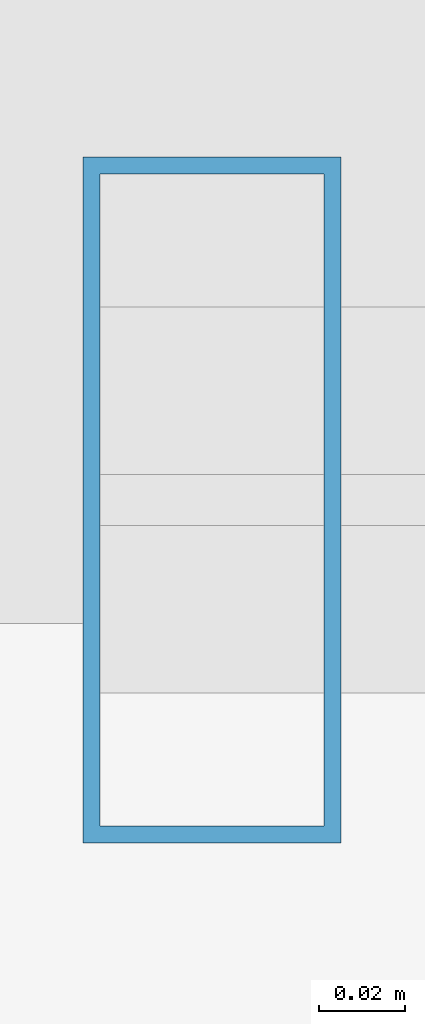
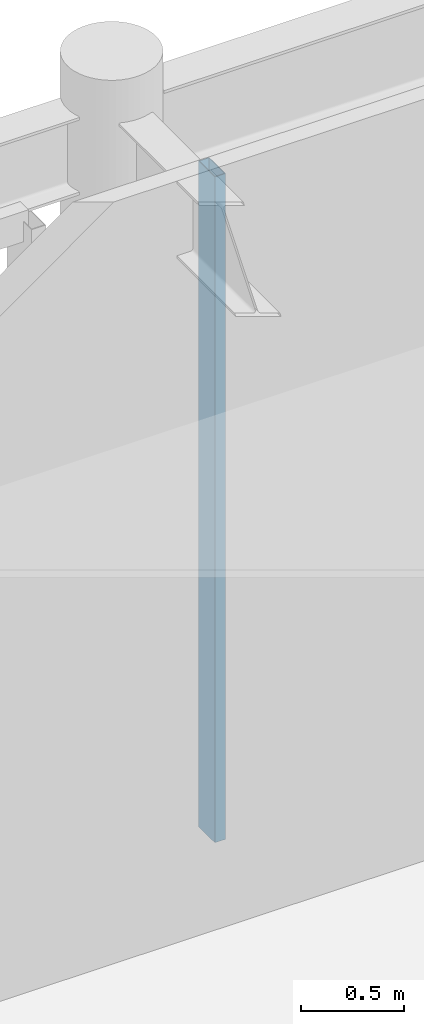
# One storey, part 129 of 200: 1 member, 1 element without a shape of its own.
"""IFC4 building model written with IfcOpenShell, lengths in metres."""

from ifc_helpers import new_model, si_unit, direction, frame, origin, origin_2d, place, context, subcontext, project, spatial, hollow_rectangle, extrude, material, material_profile, profile_set, type_object, element, aggregate, save


model = new_model("IFC4")

# Units and contexts
model_context = context("Model", 3, precision=1e-05, world=origin(), true_north=direction((0.0, 1.0)))
body_context = subcontext(model_context, "Body", "Model", "MODEL_VIEW")
ifc_project = project(units=[si_unit("LENGTHUNIT", "METRE"), si_unit("AREAUNIT", "SQUARE_METRE"), si_unit("VOLUMEUNIT", "CUBIC_METRE"), si_unit("PLANEANGLEUNIT", "RADIAN"), si_unit("MASSUNIT", "GRAM", prefix="KILO"), si_unit("THERMODYNAMICTEMPERATUREUNIT", "KELVIN"), si_unit("POWERUNIT", "WATT")], contexts=[model_context])

# Site, building, storey
site_placement = place(None, origin())
site = spatial("IfcSite", under=ifc_project, at=site_placement, CompositionType="ELEMENT")
building_placement = place(site_placement, origin())
building = spatial("IfcBuilding", under=site, at=building_placement, Name="Tepalcoro Natatorium and Aquatics Centre", CompositionType="ELEMENT")
storey_placement = place(building_placement, frame((0.0, 0.0, 5.39990234375)))
storey = spatial("IfcBuildingStorey", under=building, at=storey_placement, Name="L01", CompositionType="ELEMENT", Elevation=5.39990234375)

# Curtain wall, member
ifc_material = material(Name="Bronze-Anodised Extruded Aluminium Alloy EN AW-6063 T6", Category="aluminium")
curtain_wall_type = type_object("IfcCurtainWallType", Name="CW_LEAN_T2_NS", PredefinedType="USERDEFINED", material=ifc_material)
curtain_wall_placement = place(storey_placement, origin())
curtain_wall = element("IfcCurtainWall", 1, at=curtain_wall_placement, inside=storey, type_object=curtain_wall_type, Name="V2 L01 N Unitised Curtain Wall Bay 3", ObjectType="FACETED SOLAR GLAZING", PredefinedType="USERDEFINED")
ifc_material_profile = material_profile(ifc_material, hollow_rectangle(XDim=0.06005859375, YDim=0.159912109375, WallThickness=0.00390625, at=origin_2d()), Name="AL60X160X4")
ifc_profile_set = profile_set([ifc_material_profile], Name="Bronze-Anodised Extruded Aluminium Alloy EN AW-6063 T6")
member_type = type_object("IfcMemberType", Name="CW_MUL_60x160", PredefinedType="MULLION", material=ifc_profile_set)
member_placement = place(storey_placement, frame((159.52001953125, 58.923828125, 0.02001953125), z_axis=(0.0, 0.0, 1.0), x_axis=(1.0, 0.0, 0.0)))
member = element("IfcMember", 2, at=member_placement, type_object=member_type, Name="CW_LEAN_T2_NS Curtain Wall Mullion", PredefinedType="MULLION", context=body_context, shape_type="SweptSolid", body=[
    extrude(hollow_rectangle(XDim=0.06005859375, YDim=0.159912109375, WallThickness=0.00390625, at=origin_2d()), origin(), (0.0, 0.0, 1.0), 3.9541015625),
])
aggregate(curtain_wall, [member])

save(model, "model.ifc")
